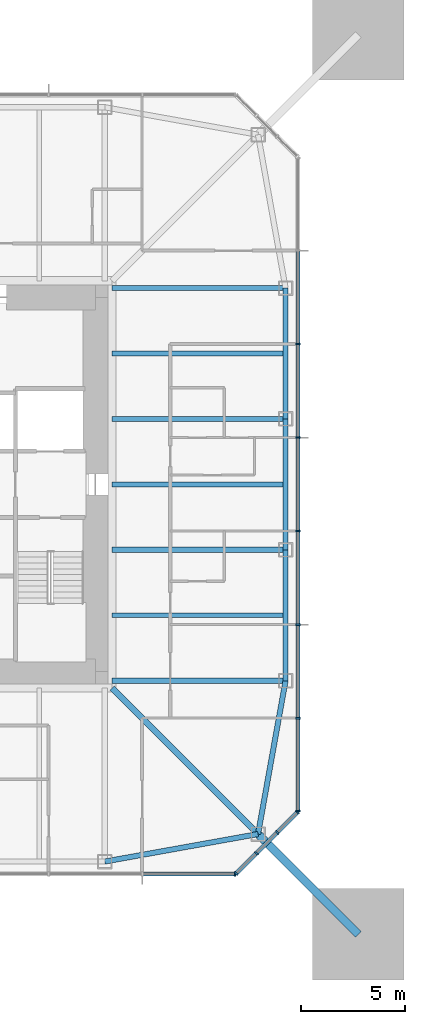
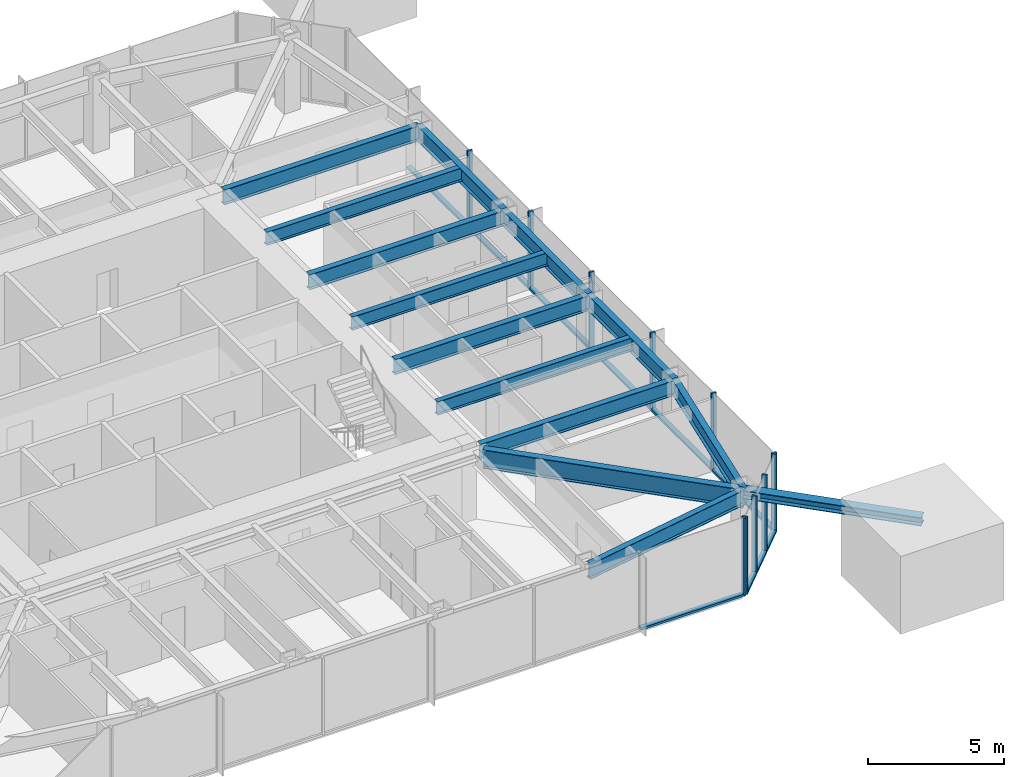
# One storey, part 3 of 11: 22 members, 13 beams, 3 elements without a shape of their own.
"""IFC4 building model written with IfcOpenShell, lengths in metres."""

from ifc_helpers import new_model, si_unit, direction, frame, origin, origin_2d, place, context, subcontext, project, spatial, rectangle, i_section, extrude, material, material_profile, profile_set, type_object, element, aggregate, save


model = new_model("IFC4")

# Units and contexts
model_context = context("Model", 3, precision=1e-05, world=origin(), true_north=direction((0.0, 1.0)))
body_context = subcontext(model_context, "Body", "Model", "MODEL_VIEW")
ifc_project = project(units=[si_unit("LENGTHUNIT", "METRE"), si_unit("AREAUNIT", "SQUARE_METRE"), si_unit("VOLUMEUNIT", "CUBIC_METRE"), si_unit("PLANEANGLEUNIT", "RADIAN"), si_unit("MASSUNIT", "GRAM", prefix="KILO")], contexts=[model_context])

# Site, building, storey
site_placement = place(None, origin())
site = spatial("IfcSite", under=ifc_project, at=site_placement, CompositionType="ELEMENT")
building_placement = place(site_placement, origin())
building = spatial("IfcBuilding", under=site, at=building_placement, Name="Iwan Alto Co-Living Towers", CompositionType="ELEMENT")
storey_placement = place(building_placement, frame((0.0, 0.0, 202.0)))
storey = spatial("IfcBuildingStorey", under=building, at=storey_placement, Name="L55", CompositionType="ELEMENT", Elevation=202.0)

# Curtain wall, member
ifc_material_1 = material(Name="Bronze aluminium unitised frame", Category="aluminium")
curtain_wall_type_1 = type_object("IfcCurtainWallType", Name="CURTAIN WALL CW-A", PredefinedType="NOTDEFINED", material=ifc_material_1)
curtain_wall_1_placement = place(storey_placement, origin())
curtain_wall_1 = element("IfcCurtainWall", 1, at=curtain_wall_1_placement, inside=storey, type_object=curtain_wall_type_1, Name="T1 curtain wall S L55", PredefinedType="NOTDEFINED")
ifc_material_2 = material(Name="Aluminium 6063-T6 bronze anodised", Category="aluminium")
ifc_material_profile_1 = material_profile(ifc_material_2, rectangle(XDim=0.199951171875, YDim=0.080078125, at=origin_2d()), Name="AL 80X200")
ifc_profile_set_1 = profile_set([ifc_material_profile_1], Name="Aluminium 6063-T6 bronze anodised")
member_type_1 = type_object("IfcMemberType", Name="CW-A MULLION 80X200", PredefinedType="MULLION", material=ifc_profile_set_1)
member_1_placement = place(storey_placement, frame((15.7099609375, -18.75, 0.0), z_axis=(0.0, 0.0, 1.0), x_axis=(0.0, 1.0, 0.0)))
member_1 = element("IfcMember", 2, at=member_1_placement, type_object=member_type_1, Name="CW-A mullion 8", PredefinedType="MULLION", context=body_context, shape_type="SweptSolid", body=[
    extrude(rectangle(XDim=0.199951171875, YDim=0.080078125, at=origin_2d()), origin(), (0.0, 0.0, 1.0), 3.5),
])

# Curtain wall, members
curtain_wall_2_placement = place(storey_placement, origin())
curtain_wall_2 = element("IfcCurtainWall", 3, at=curtain_wall_2_placement, inside=storey, type_object=curtain_wall_type_1, Name="T1 curtain wall E L55", PredefinedType="NOTDEFINED")
member_2_placement = place(storey_placement, frame((18.75, -15.7099609375, 0.0), z_axis=(0.0, 0.0, 1.0), x_axis=(-1.0, 0.0, 0.0)))
member_2 = element("IfcMember", 4, at=member_2_placement, type_object=member_type_1, Name="CW-A mullion 1", PredefinedType="MULLION", context=body_context, shape_type="SweptSolid", body=[
    extrude(rectangle(XDim=0.199951171875, YDim=0.080078125, at=origin_2d()), origin(), (0.0, 0.0, 1.0), 3.5),
])
member_3_placement = place(storey_placement, frame((18.75, -11.25, 0.0), z_axis=(0.0, 0.0, 1.0), x_axis=(-1.0, 0.0, 0.0)))
member_3 = element("IfcMember", 5, at=member_3_placement, type_object=member_type_1, Name="CW-A mullion 2", PredefinedType="MULLION", context=body_context, shape_type="SweptSolid", body=[
    extrude(rectangle(XDim=0.199951171875, YDim=0.080078125, at=origin_2d()), origin(), (0.0, 0.0, 1.0), 3.5),
])
member_4_placement = place(storey_placement, frame((18.75, -6.75, 0.0), z_axis=(0.0, 0.0, 1.0), x_axis=(-1.0, 0.0, 0.0)))
member_4 = element("IfcMember", 6, at=member_4_placement, type_object=member_type_1, Name="CW-A mullion 3", PredefinedType="MULLION", context=body_context, shape_type="SweptSolid", body=[
    extrude(rectangle(XDim=0.199951171875, YDim=0.080078125, at=origin_2d()), origin(), (0.0, 0.0, 1.0), 3.5),
])
member_5_placement = place(storey_placement, frame((18.75, -2.25, 0.0), z_axis=(0.0, 0.0, 1.0), x_axis=(-1.0, 0.0, 0.0)))
member_5 = element("IfcMember", 7, at=member_5_placement, type_object=member_type_1, Name="CW-A mullion 4", PredefinedType="MULLION", context=body_context, shape_type="SweptSolid", body=[
    extrude(rectangle(XDim=0.199951171875, YDim=0.080078125, at=origin_2d()), origin(), (0.0, 0.0, 1.0), 3.5),
])
member_6_placement = place(storey_placement, frame((18.75, 2.25, 0.0), z_axis=(0.0, 0.0, 1.0), x_axis=(-1.0, 0.0, 0.0)))
member_6 = element("IfcMember", 8, at=member_6_placement, type_object=member_type_1, Name="CW-A mullion 5", PredefinedType="MULLION", context=body_context, shape_type="SweptSolid", body=[
    extrude(rectangle(XDim=0.199951171875, YDim=0.080078125, at=origin_2d()), origin(), (0.0, 0.0, 1.0), 3.5),
])
member_7_placement = place(storey_placement, frame((18.75, 6.75, 0.0), z_axis=(0.0, 0.0, 1.0), x_axis=(-1.0, 0.0, 0.0)))
member_7 = element("IfcMember", 9, at=member_7_placement, type_object=member_type_1, Name="CW-A mullion 6", PredefinedType="MULLION", context=body_context, shape_type="SweptSolid", body=[
    extrude(rectangle(XDim=0.199951171875, YDim=0.080078125, at=origin_2d()), origin(), (0.0, 0.0, 1.0), 3.5),
])

# Member
ifc_material_3 = material(Name="Aluminium 6063-T6 bronze anodised", Category="aluminium")
ifc_material_profile_2 = material_profile(ifc_material_3, rectangle(XDim=0.199951171875, YDim=0.10009765625, at=origin_2d()), Name="AL 200X100")
ifc_profile_set_2 = profile_set([ifc_material_profile_2], Name="Aluminium 6063-T6 bronze anodised")
member_type_2 = type_object("IfcMemberType", Name="CW-A TRANSOM 200X100", PredefinedType="USERDEFINED", material=ifc_profile_set_2)
member_8_placement = place(storey_placement, frame((11.2900390625, -18.75, 0.050048828125), z_axis=(1.0, 0.0, 0.0), x_axis=(0.0, 1.0, 0.0)))
member_8 = element("IfcMember", 10, at=member_8_placement, type_object=member_type_2, Name="CW-A transom 7.1", ObjectType="TRANSOM", PredefinedType="USERDEFINED", context=body_context, shape_type="SweptSolid", body=[
    extrude(rectangle(XDim=0.199951171875, YDim=0.10009765625, at=origin_2d()), origin(), (0.0, 0.0, 1.0), 4.3798828125),
])

aggregate(curtain_wall_1, [member_1, member_8])

member_9_placement = place(storey_placement, frame((18.75, -15.669921875, 0.050048828125), z_axis=(0.0, 1.0, 0.0), x_axis=(-1.0, 0.0, 0.0)))
member_9 = element("IfcMember", 11, at=member_9_placement, type_object=member_type_2, Name="CW-A transom 1.1", ObjectType="TRANSOM", PredefinedType="USERDEFINED", context=body_context, shape_type="SweptSolid", body=[
    extrude(rectangle(XDim=0.199951171875, YDim=0.10009765625, at=origin_2d()), origin(), (0.0, 0.0, 1.0), 4.3798828125),
])

member_10_placement = place(storey_placement, frame((18.75, -11.2099609375, 0.050048828125), z_axis=(0.0, 1.0, 0.0), x_axis=(-1.0, 0.0, 0.0)))
member_10 = element("IfcMember", 12, at=member_10_placement, type_object=member_type_2, Name="CW-A transom 2.1", ObjectType="TRANSOM", PredefinedType="USERDEFINED", context=body_context, shape_type="SweptSolid", body=[
    extrude(rectangle(XDim=0.199951171875, YDim=0.10009765625, at=origin_2d()), origin(), (0.0, 0.0, 1.0), 4.419921875),
])

member_11_placement = place(storey_placement, frame((18.75, -6.7099609375, 0.050048828125), z_axis=(0.0, 1.0, 0.0), x_axis=(-1.0, 0.0, 0.0)))
member_11 = element("IfcMember", 13, at=member_11_placement, type_object=member_type_2, Name="CW-A transom 3.1", ObjectType="TRANSOM", PredefinedType="USERDEFINED", context=body_context, shape_type="SweptSolid", body=[
    extrude(rectangle(XDim=0.199951171875, YDim=0.10009765625, at=origin_2d()), origin(), (0.0, 0.0, 1.0), 4.419921875),
])

member_12_placement = place(storey_placement, frame((18.75, -2.2099609375, 0.050048828125), z_axis=(0.0, 1.0, 0.0), x_axis=(-1.0, 0.0, 0.0)))
member_12 = element("IfcMember", 14, at=member_12_placement, type_object=member_type_2, Name="CW-A transom 4.1", ObjectType="TRANSOM", PredefinedType="USERDEFINED", context=body_context, shape_type="SweptSolid", body=[
    extrude(rectangle(XDim=0.199951171875, YDim=0.10009765625, at=origin_2d()), origin(), (0.0, 0.0, 1.0), 4.419921875),
])

member_13_placement = place(storey_placement, frame((18.75, 2.2900390625, 0.050048828125), z_axis=(0.0, 1.0, 0.0), x_axis=(-1.0, 0.0, 0.0)))
member_13 = element("IfcMember", 15, at=member_13_placement, type_object=member_type_2, Name="CW-A transom 5.1", ObjectType="TRANSOM", PredefinedType="USERDEFINED", context=body_context, shape_type="SweptSolid", body=[
    extrude(rectangle(XDim=0.199951171875, YDim=0.10009765625, at=origin_2d()), origin(), (0.0, 0.0, 1.0), 4.419921875),
])

member_14_placement = place(storey_placement, frame((18.75, 6.7900390625, 0.050048828125), z_axis=(0.0, 1.0, 0.0), x_axis=(-1.0, 0.0, 0.0)))
member_14 = element("IfcMember", 16, at=member_14_placement, type_object=member_type_2, Name="CW-A transom 6.1", ObjectType="TRANSOM", PredefinedType="USERDEFINED", context=body_context, shape_type="SweptSolid", body=[
    extrude(rectangle(XDim=0.199951171875, YDim=0.10009765625, at=origin_2d()), origin(), (0.0, 0.0, 1.0), 4.419921875),
])

aggregate(curtain_wall_2, [member_2, member_3, member_4, member_5, member_6, member_7, member_9, member_10, member_11, member_12, member_13, member_14])

# Curtain wall, members
ifc_material_4 = material(Name="Bronze aluminium unitised frame", Category="aluminium")
curtain_wall_type_2 = type_object("IfcCurtainWallType", Name="CURTAIN WALL CW-B", PredefinedType="NOTDEFINED", material=ifc_material_4)
curtain_wall_3_placement = place(storey_placement, origin())
curtain_wall_3 = element("IfcCurtainWall", 17, at=curtain_wall_3_placement, inside=storey, type_object=curtain_wall_type_2, Name="T1 chamfer curtain wall SE L55", PredefinedType="NOTDEFINED")
ifc_material_5 = material(Name="Aluminium 6063-T6 bronze anodised", Category="aluminium")
ifc_material_profile_3 = material_profile(ifc_material_5, rectangle(XDim=0.199951171875, YDim=0.080078125, at=origin_2d()), Name="AL 80X200")
ifc_profile_set_3 = profile_set([ifc_material_profile_3], Name="Aluminium 6063-T6 bronze anodised")
member_type_3 = type_object("IfcMemberType", Name="CW-B MULLION 80X200", PredefinedType="MULLION", material=ifc_profile_set_3)
member_15_placement = place(storey_placement, frame((15.7783203125, -18.7216796875, 0.0), z_axis=(0.0, 0.0, 1.0), x_axis=(-0.707106781187, 0.707106781187, 0.0)))
member_15 = element("IfcMember", 18, at=member_15_placement, type_object=member_type_3, Name="CW-B mullion 1", PredefinedType="MULLION", context=body_context, shape_type="SweptSolid", body=[
    extrude(rectangle(XDim=0.199951171875, YDim=0.080078125, at=origin_2d()), origin(), (0.0, 0.0, 1.0), 3.5),
])
member_16_placement = place(storey_placement, frame((16.75, -17.75, 0.0), z_axis=(0.0, 0.0, 1.0), x_axis=(-0.707106781187, 0.707106781187, 0.0)))
member_16 = element("IfcMember", 19, at=member_16_placement, type_object=member_type_3, Name="CW-B mullion 2", PredefinedType="MULLION", context=body_context, shape_type="SweptSolid", body=[
    extrude(rectangle(XDim=0.199951171875, YDim=0.080078125, at=origin_2d()), origin(), (0.0, 0.0, 1.0), 3.5),
])
member_17_placement = place(storey_placement, frame((17.75, -16.75, 0.0), z_axis=(0.0, 0.0, 1.0), x_axis=(-0.707106781187, 0.707106781187, 0.0)))
member_17 = element("IfcMember", 20, at=member_17_placement, type_object=member_type_3, Name="CW-B mullion 3", PredefinedType="MULLION", context=body_context, shape_type="SweptSolid", body=[
    extrude(rectangle(XDim=0.199951171875, YDim=0.080078125, at=origin_2d()), origin(), (0.0, 0.0, 1.0), 3.5),
])
member_18_placement = place(storey_placement, frame((18.7216796875, -15.7783203125, 0.0), z_axis=(0.0, 0.0, 1.0), x_axis=(-0.707106781187, 0.707106781187, 0.0)))
member_18 = element("IfcMember", 21, at=member_18_placement, type_object=member_type_3, Name="CW-B mullion 4", PredefinedType="MULLION", context=body_context, shape_type="SweptSolid", body=[
    extrude(rectangle(XDim=0.199951171875, YDim=0.080078125, at=origin_2d()), origin(), (0.0, 0.0, 1.0), 3.5),
])
ifc_material_6 = material(Name="Aluminium 6063-T6 bronze anodised", Category="aluminium")
ifc_material_profile_4 = material_profile(ifc_material_6, rectangle(XDim=0.199951171875, YDim=0.10009765625, at=origin_2d()), Name="AL 200X100")
ifc_profile_set_4 = profile_set([ifc_material_profile_4], Name="Aluminium 6063-T6 bronze anodised")
member_type_4 = type_object("IfcMemberType", Name="CW-B TRANSOM 200X100", PredefinedType="USERDEFINED", material=ifc_profile_set_4)
member_19_placement = place(storey_placement, frame((15.806640625, -18.693359375, 0.050048828125), z_axis=(0.707106781187, 0.707106781187, 0.0), x_axis=(-0.707106781187, 0.707106781187, 0.0)))
member_19 = element("IfcMember", 22, at=member_19_placement, type_object=member_type_4, Name="CW-B transom 1.1", ObjectType="TRANSOM", PredefinedType="USERDEFINED", context=body_context, shape_type="SweptSolid", body=[
    extrude(rectangle(XDim=0.199951171875, YDim=0.10009765625, at=origin_2d()), origin(), (0.0, 0.0, 1.0), 1.2939453125),
])
member_20_placement = place(storey_placement, frame((16.7783203125, -17.7216796875, 0.050048828125), z_axis=(0.707106781187, 0.707106781187, 0.0), x_axis=(-0.707106781187, 0.707106781187, 0.0)))
member_20 = element("IfcMember", 23, at=member_20_placement, type_object=member_type_4, Name="CW-B transom 2.1", ObjectType="TRANSOM", PredefinedType="USERDEFINED", context=body_context, shape_type="SweptSolid", body=[
    extrude(rectangle(XDim=0.199951171875, YDim=0.10009765625, at=origin_2d()), origin(), (0.0, 0.0, 1.0), 1.334228515625),
])
member_21_placement = place(storey_placement, frame((17.7783203125, -16.7216796875, 0.050048828125), z_axis=(0.707106781187, 0.707106781187, 0.0), x_axis=(-0.707106781187, 0.707106781187, 0.0)))
member_21 = element("IfcMember", 24, at=member_21_placement, type_object=member_type_4, Name="CW-B transom 3.1", ObjectType="TRANSOM", PredefinedType="USERDEFINED", context=body_context, shape_type="SweptSolid", body=[
    extrude(rectangle(XDim=0.199951171875, YDim=0.10009765625, at=origin_2d()), origin(), (0.0, 0.0, 1.0), 1.2939453125),
])
aggregate(curtain_wall_3, [member_15, member_16, member_17, member_18, member_19, member_20, member_21])

# Beams
ifc_material_7 = material(Name="Steel ASTM A992 Gr 50", Category="steel")
ifc_material_profile_5 = material_profile(ifc_material_7, i_section(OverallWidth=0.2919921875, OverallDepth=0.8408203125, WebThickness=0.0146484375, FlangeThickness=0.021728515625, at=origin_2d()), Name="W33X130")
ifc_profile_set_5 = profile_set([ifc_material_profile_5], Name="Steel ASTM A992 Gr 50")
beam_type_1 = type_object("IfcBeamType", Name="T1 CORNER GIRDER W33X130", PredefinedType="BEAM", material=ifc_profile_set_5)
beam_1_placement = place(storey_placement, frame((16.82568359375, -16.82568359375, 2.849609375), z_axis=(-0.707106781187, 0.707106781187, 0.0), x_axis=(-0.707106781187, -0.707106781187, 0.0)))
element("IfcBeam", 25, at=beam_1_placement, inside=storey, type_object=beam_type_1, Name="T1 corner girder CSE L56", PredefinedType="BEAM", context=body_context, shape_type="SweptSolid", body=[
    extrude(i_section(OverallWidth=0.2919921875, OverallDepth=0.8408203125, WebThickness=0.0146484375, FlangeThickness=0.021728515625, at=origin_2d()), origin(), (0.0, 0.0, 1.0), 9.936767578125),
])
ifc_material_8 = material(Name="Steel ASTM A992 Gr 50", Category="steel")
ifc_material_profile_6 = material_profile(ifc_material_8, i_section(OverallWidth=0.25390625, OverallDepth=0.683349609375, WebThickness=0.012451171875, FlangeThickness=0.018798828125, at=origin_2d()), Name="W27X94")
ifc_profile_set_6 = profile_set([ifc_material_profile_6], Name="Steel ASTM A992 Gr 50")
beam_type_2 = type_object("IfcBeamType", Name="T1 EDGE BEAM W27X94", PredefinedType="BEAM", material=ifc_profile_set_6)
for number, where, z_axis, x_axis, name in (
    (26, (9.449951171875, -18.14990234375, 2.928466796875), (0.98426263553, 0.17671181143, 0.0), (-0.17671181143, 0.98426263553, 0.0), "T1 edge beam S4 L56"),
    (27, (16.82568359375, -16.82568359375, 2.928466796875), (0.17671181143, 0.98426263553, 0.0), (-0.98426263553, 0.17671181143, 0.0), "T1 edge beam CSE L56"),
):
    element("IfcBeam", number, at=place(storey_placement, frame(where, z_axis=z_axis, x_axis=x_axis)), inside=storey, type_object=beam_type_2, Name=name, PredefinedType="BEAM", context=body_context, shape_type="SweptSolid", body=[
        extrude(i_section(OverallWidth=0.25390625, OverallDepth=0.683349609375, WebThickness=0.012451171875, FlangeThickness=0.018798828125, at=origin_2d()), origin(), (0.0, 0.0, 1.0), 7.49365234375),
    ])
beam_2_placement = place(storey_placement, frame((18.14990234375, -9.449951171875, 2.928466796875), z_axis=(0.0, 1.0, 0.0), x_axis=(-1.0, 0.0, 0.0)))
element("IfcBeam", 28, at=beam_2_placement, inside=storey, type_object=beam_type_2, Name="T1 edge beam E1 L56", PredefinedType="BEAM", context=body_context, shape_type="SweptSolid", body=[
    extrude(i_section(OverallWidth=0.25390625, OverallDepth=0.683349609375, WebThickness=0.012451171875, FlangeThickness=0.018798828125, at=origin_2d()), origin(), (0.0, 0.0, 1.0), 6.300048828125),
])
beam_3_placement = place(storey_placement, frame((18.14990234375, -3.14990234375, 2.928466796875), z_axis=(0.0, 1.0, 0.0), x_axis=(-1.0, 0.0, 0.0)))
element("IfcBeam", 29, at=beam_3_placement, inside=storey, type_object=beam_type_2, Name="T1 edge beam E2 L56", PredefinedType="BEAM", context=body_context, shape_type="SweptSolid", body=[
    extrude(i_section(OverallWidth=0.25390625, OverallDepth=0.683349609375, WebThickness=0.012451171875, FlangeThickness=0.018798828125, at=origin_2d()), origin(), (0.0, 0.0, 1.0), 6.2998046875),
])
beam_4_placement = place(storey_placement, frame((18.14990234375, 3.14990234375, 2.928466796875), z_axis=(0.0, 1.0, 0.0), x_axis=(-1.0, 0.0, 0.0)))
element("IfcBeam", 30, at=beam_4_placement, inside=storey, type_object=beam_type_2, Name="T1 edge beam E3 L56", PredefinedType="BEAM", context=body_context, shape_type="SweptSolid", body=[
    extrude(i_section(OverallWidth=0.25390625, OverallDepth=0.683349609375, WebThickness=0.012451171875, FlangeThickness=0.018798828125, at=origin_2d()), origin(), (0.0, 0.0, 1.0), 6.300048828125),
])

# Member
ifc_material_9 = material(Name="Steel ASTM A992 Gr 50", Category="steel")
ifc_material_profile_7 = material_profile(ifc_material_9, i_section(OverallWidth=0.393798828125, OverallDepth=0.3759765625, WebThickness=0.017333984375, FlangeThickness=0.027587890625, at=origin_2d()), Name="W14X145")
ifc_profile_set_7 = profile_set([ifc_material_profile_7], Name="Steel ASTM A992 Gr 50")
member_type_5 = type_object("IfcMemberType", Name="T1 MEGA COLUMN FLOOR TIE W14X145", PredefinedType="STRUT", material=ifc_profile_set_7)
member_22_placement = place(storey_placement, frame((21.64990234375, -21.64990234375, 3.08203125), z_axis=(-0.707106781187, 0.707106781187, 0.0), x_axis=(-0.707106781187, -0.707106781187, 0.0)))
element("IfcMember", 31, at=member_22_placement, inside=storey, type_object=member_type_5, Name="T1 mega column floor tie SE L56", PredefinedType="STRUT", context=body_context, shape_type="SweptSolid", body=[
    extrude(i_section(OverallWidth=0.393798828125, OverallDepth=0.3759765625, WebThickness=0.017333984375, FlangeThickness=0.027587890625, at=origin_2d()), origin(), (0.0, 0.0, 1.0), 6.822509765625),
])

# Beams
ifc_material_10 = material(Name="Steel ASTM A992 Gr 50", Category="steel")
ifc_material_profile_8 = material_profile(ifc_material_10, i_section(OverallWidth=0.25390625, OverallDepth=0.683349609375, WebThickness=0.012451171875, FlangeThickness=0.018798828125, at=origin_2d()), Name="W27X94")
ifc_profile_set_8 = profile_set([ifc_material_profile_8], Name="Steel ASTM A992 Gr 50")
beam_type_3 = type_object("IfcBeamType", Name="T1 RADIAL BEAM W27X94", PredefinedType="BEAM", material=ifc_profile_set_8)
for number, where, z_axis, x_axis, name in (
    (32, (18.14990234375, -9.449951171875, 2.928466796875), (-1.0, 0.0, 0.0), (0.0, -1.0, 0.0), "T1 radial beam E1 L56"),
    (33, (18.14990234375, -3.14990234375, 2.928466796875), (-1.0, 0.0, 0.0), (0.0, -1.0, 0.0), "T1 radial beam E2 L56"),
    (34, (18.14990234375, 3.14990234375, 2.928466796875), (-1.0, 0.0, 0.0), (0.0, -1.0, 0.0), "T1 radial beam E3 L56"),
    (35, (18.14990234375, 9.449951171875, 2.928466796875), (-1.0, 0.0, 0.0), (0.0, -1.0, 0.0), "T1 radial beam E4 L56"),
):
    element("IfcBeam", number, at=place(storey_placement, frame(where, z_axis=z_axis, x_axis=x_axis)), inside=storey, type_object=beam_type_3, Name=name, PredefinedType="BEAM", context=body_context, shape_type="SweptSolid", body=[
        extrude(i_section(OverallWidth=0.25390625, OverallDepth=0.683349609375, WebThickness=0.012451171875, FlangeThickness=0.018798828125, at=origin_2d()), origin(), (0.0, 0.0, 1.0), 8.3505859375),
    ])
ifc_material_11 = material(Name="Steel ASTM A992 Gr 50", Category="steel")
ifc_material_profile_9 = material_profile(ifc_material_11, i_section(OverallWidth=0.228271484375, OverallDepth=0.607177734375, WebThickness=0.01123046875, FlangeThickness=0.017333984375, at=origin_2d()), Name="W24X76")
ifc_profile_set_9 = profile_set([ifc_material_profile_9], Name="Steel ASTM A992 Gr 50")
beam_type_4 = type_object("IfcBeamType", Name="T1 SECONDARY BEAM W24X76", PredefinedType="JOIST", material=ifc_profile_set_9)
for number, where, z_axis, x_axis, name in (
    (36, (18.14990234375, -6.300048828125, 2.966552734375), (-1.0, 0.0, 0.0), (0.0, -1.0, 0.0), "T1 secondary beam E1 L56"),
    (37, (18.14990234375, 0.0, 2.966552734375), (-1.0, 0.0, 0.0), (0.0, -1.0, 0.0), "T1 secondary beam E2 L56"),
    (38, (18.14990234375, 6.300048828125, 2.966552734375), (-1.0, 0.0, 0.0), (0.0, -1.0, 0.0), "T1 secondary beam E3 L56"),
):
    element("IfcBeam", number, at=place(storey_placement, frame(where, z_axis=z_axis, x_axis=x_axis)), inside=storey, type_object=beam_type_4, Name=name, PredefinedType="JOIST", context=body_context, shape_type="SweptSolid", body=[
        extrude(i_section(OverallWidth=0.228271484375, OverallDepth=0.607177734375, WebThickness=0.01123046875, FlangeThickness=0.017333984375, at=origin_2d()), origin(), (0.0, 0.0, 1.0), 8.3505859375),
    ])

save(model, "model.ifc")
